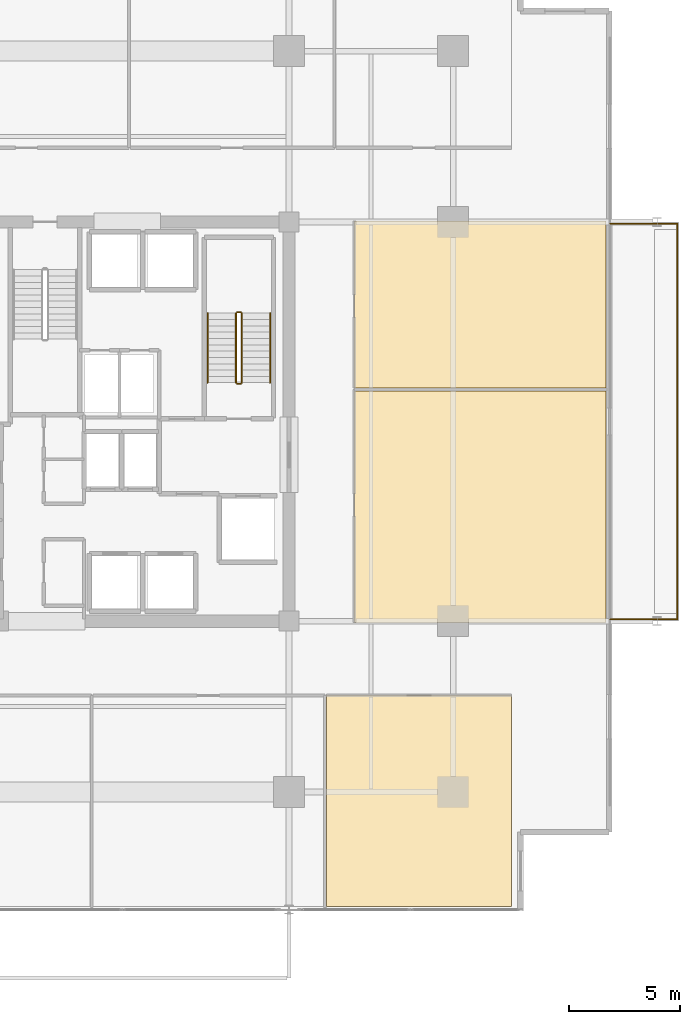
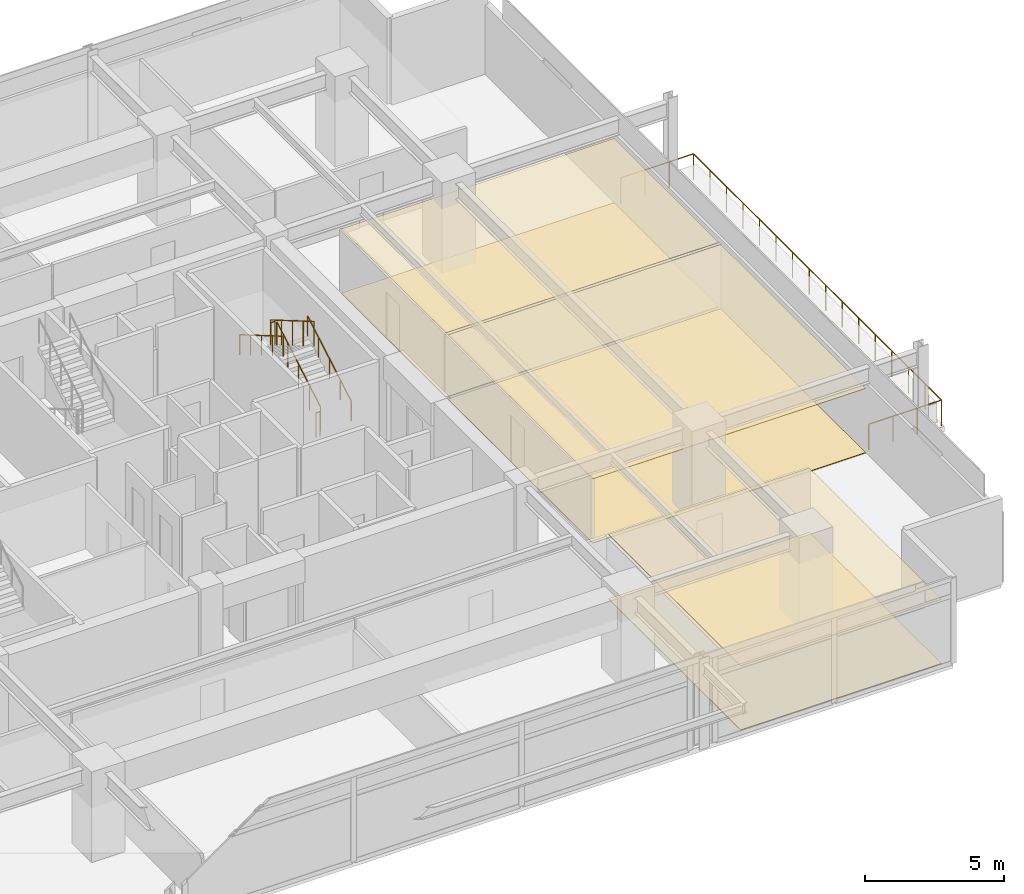
# One storey, part 20 of 21: 7 railings, 6 coverings.
"""IFC4 building model written with IfcOpenShell, lengths in metres."""

from ifc_helpers import new_model, si_unit, direction, frame, origin, origin_2d, place, context, subcontext, project, spatial, polyline, circle, outline, extrude, material, layer, layer_set, type_object, element, save


model = new_model("IFC4")

# Units and contexts
model_context = context("Model", 3, precision=1e-05, world=origin(), true_north=direction((0.0, 1.0)))
body_context = subcontext(model_context, "Body", "Model", "MODEL_VIEW")
ifc_project = project(units=[si_unit("LENGTHUNIT", "METRE"), si_unit("AREAUNIT", "SQUARE_METRE"), si_unit("VOLUMEUNIT", "CUBIC_METRE"), si_unit("PLANEANGLEUNIT", "RADIAN"), si_unit("MASSUNIT", "GRAM", prefix="KILO")], contexts=[model_context])

# Site, building, storey
site_placement = place(None, origin())
site = spatial("IfcSite", under=ifc_project, at=site_placement, CompositionType="ELEMENT")
building_placement = place(site_placement, origin())
building = spatial("IfcBuilding", under=site, at=building_placement, Name="Kovane Verandah Tower", CompositionType="ELEMENT")
storey_placement = place(building_placement, frame((0.0, 0.0, 217.199951171875)))
storey = spatial("IfcBuildingStorey", under=building, at=storey_placement, Name="L50", CompositionType="ELEMENT", Elevation=217.199951171875)

# Coverings
ifc_material_1 = material(Name="Perforated Acoustic Mineral-Fibre Ceiling Tile", Category="gypsum")
ifc_layer_1 = layer(ifc_material_1, 0.02490234375)
ifc_layer_set_1 = layer_set([ifc_layer_1], Name="Perforated Acoustic Mineral-Fibre Ceiling Tile")
covering_type_1 = type_object("IfcCoveringType", Name="CV-CEIL-25", PredefinedType="CEILING", material=ifc_layer_set_1)
covering_1_placement = place(storey_placement, frame((0.0, 0.0, 2.824951171875)))
element("IfcCovering", 1, at=covering_1_placement, inside=storey, type_object=covering_type_1, Name="L50 Executive Office S4 Acoustic Ceiling", PredefinedType="CEILING", context=body_context, shape_type="SweptSolid", body=[
    extrude(outline(polyline([(52.6923828125, 5.6357421875), (61.037353515625, 5.6357421875), (61.037353515625, 15.14990234375), (52.6923828125, 15.14990234375), (52.6923828125, 5.6357421875)])), origin(), (0.0, 0.0, 1.0), 0.025146484375),
])
covering_2_placement = place(storey_placement, frame((0.0, 0.0, 2.824951171875)))
element("IfcCovering", 2, at=covering_2_placement, inside=storey, type_object=covering_type_1, Name="L50 Focus Studio E1 Acoustic Ceiling", PredefinedType="CEILING", context=body_context, shape_type="SweptSolid", body=[
    extrude(outline(polyline([(53.949951171875, 18.449951171875), (65.287353515625, 18.449951171875), (65.287353515625, 28.8779296875), (53.949951171875, 28.8779296875), (53.949951171875, 18.449951171875)])), origin(), (0.0, 0.0, 1.0), 0.025146484375),
])
covering_3_placement = place(storey_placement, frame((0.0, 0.0, 2.824951171875)))
element("IfcCovering", 3, at=covering_3_placement, inside=storey, type_object=covering_type_1, Name="L50 Breakout Pantry E2 Acoustic Ceiling", PredefinedType="CEILING", context=body_context, shape_type="SweptSolid", body=[
    extrude(outline(polyline([(53.949951171875, 29.01806640625), (65.287353515625, 29.01806640625), (65.287353515625, 36.550048828125), (53.949951171875, 36.550048828125), (53.949951171875, 29.01806640625)])), origin(), (0.0, 0.0, 1.0), 0.025146484375),
])
ifc_material_2 = material(Name="Polished Terrazzo and Raised-Access Carpet Tile Finish", Category="concrete")
ifc_layer_2 = layer(ifc_material_2, 0.030029296875)
ifc_layer_set_2 = layer_set([ifc_layer_2], Name="Polished Terrazzo and Raised-Access Carpet Tile Finish")
covering_type_2 = type_object("IfcCoveringType", Name="CV-FLOR-30", PredefinedType="FLOORING", material=ifc_layer_set_2)
covering_4_placement = place(storey_placement, origin())
element("IfcCovering", 4, at=covering_4_placement, inside=storey, type_object=covering_type_2, Name="L50 Executive Office S4 Floor Finish", PredefinedType="FLOORING", context=body_context, shape_type="SweptSolid", body=[
    extrude(outline(polyline([(52.6923828125, 5.6357421875), (61.037353515625, 5.6357421875), (61.037353515625, 15.14990234375), (52.6923828125, 15.14990234375), (52.6923828125, 5.6357421875)])), origin(), (0.0, 0.0, 1.0), 0.030029296875),
])
covering_5_placement = place(storey_placement, origin())
element("IfcCovering", 5, at=covering_5_placement, inside=storey, type_object=covering_type_2, Name="L50 Focus Studio E1 Floor Finish", PredefinedType="FLOORING", context=body_context, shape_type="SweptSolid", body=[
    extrude(outline(polyline([(53.949951171875, 18.449951171875), (65.287353515625, 18.449951171875), (65.287353515625, 28.8779296875), (53.949951171875, 28.8779296875), (53.949951171875, 18.449951171875)])), origin(), (0.0, 0.0, 1.0), 0.030029296875),
])
covering_6_placement = place(storey_placement, origin())
element("IfcCovering", 6, at=covering_6_placement, inside=storey, type_object=covering_type_2, Name="L50 Breakout Pantry E2 Floor Finish", PredefinedType="FLOORING", context=body_context, shape_type="SweptSolid", body=[
    extrude(outline(polyline([(53.949951171875, 29.01806640625), (65.287353515625, 29.01806640625), (65.287353515625, 36.550048828125), (53.949951171875, 36.550048828125), (53.949951171875, 29.01806640625)])), origin(), (0.0, 0.0, 1.0), 0.030029296875),
])

# Railings
ifc_material_3 = material(Name="Laminated Glass and Pale-Champagne Stainless Balustrade", Category="glass")
railing_type_1 = type_object("IfcRailingType", Name="RL-BAL-1150", PredefinedType="BALUSTRADE", material=ifc_material_3)
railing_1_placement = place(storey_placement, frame((65.4873046875, 18.580078125, 0.0)))
element("IfcRailing", 7, at=railing_1_placement, inside=storey, type_object=railing_type_1, Name="L50 E Verandah Glass Balustrade", PredefinedType="BALUSTRADE", context=body_context, shape_type="SweptSolid", body=[
    extrude(circle(Radius=0.02392578125, at=origin_2d()), frame((0.0, 0.0, 1.1259765625), z_axis=(1.0, 0.0, 0.0), x_axis=(0.0, 1.0, 0.0)), (0.0, 0.0, 1.0), 3.02001953125),
    extrude(circle(Radius=0.02392578125, at=origin_2d()), frame((3.02001953125, 0.0, 1.1259765625), z_axis=(0.0, 1.0, 0.0), x_axis=(-1.0, 0.0, 0.0)), (0.0, 0.0, 1.0), 17.83984375),
    extrude(circle(Radius=0.02392578125, at=origin_2d()), frame((3.02001953125, 17.83984375, 1.1259765625), z_axis=(-1.0, 0.0, 0.0), x_axis=(0.0, -1.0, 0.0)), (0.0, 0.0, 1.0), 3.02001953125),
    extrude(circle(Radius=0.02099609375, at=origin_2d()), origin(), (0.0, 0.0, 1.0), 1.101806640625),
    extrude(circle(Radius=0.02099609375, at=origin_2d()), frame((1.006591796875, 0.0, 0.0)), (0.0, 0.0, 1.0), 1.101806640625),
    extrude(circle(Radius=0.02099609375, at=origin_2d()), frame((2.013427734375, 0.0, 0.0)), (0.0, 0.0, 1.0), 1.101806640625),
    extrude(circle(Radius=0.02099609375, at=origin_2d()), frame((3.02001953125, 0.0, 0.0)), (0.0, 0.0, 1.0), 1.101806640625),
    extrude(circle(Radius=0.02099609375, at=origin_2d()), frame((3.02001953125, 1.189208984375, 0.0)), (0.0, 0.0, 1.0), 1.101806640625),
    extrude(circle(Radius=0.02099609375, at=origin_2d()), frame((3.02001953125, 2.378662109375, 0.0)), (0.0, 0.0, 1.0), 1.101806640625),
    extrude(circle(Radius=0.02099609375, at=origin_2d()), frame((3.02001953125, 3.56787109375, 0.0)), (0.0, 0.0, 1.0), 1.101806640625),
    extrude(circle(Radius=0.02099609375, at=origin_2d()), frame((3.02001953125, 4.75732421875, 0.0)), (0.0, 0.0, 1.0), 1.101806640625),
    extrude(circle(Radius=0.02099609375, at=origin_2d()), frame((3.02001953125, 5.946533203125, 0.0)), (0.0, 0.0, 1.0), 1.101806640625),
    extrude(circle(Radius=0.02099609375, at=origin_2d()), frame((3.02001953125, 7.135986328125, 0.0)), (0.0, 0.0, 1.0), 1.101806640625),
    extrude(circle(Radius=0.02099609375, at=origin_2d()), frame((3.02001953125, 8.3251953125, 0.0)), (0.0, 0.0, 1.0), 1.101806640625),
    extrude(circle(Radius=0.02099609375, at=origin_2d()), frame((3.02001953125, 9.5146484375, 0.0)), (0.0, 0.0, 1.0), 1.101806640625),
    extrude(circle(Radius=0.02099609375, at=origin_2d()), frame((3.02001953125, 10.703857421875, 0.0)), (0.0, 0.0, 1.0), 1.101806640625),
    extrude(circle(Radius=0.02099609375, at=origin_2d()), frame((3.02001953125, 11.893310546875, 0.0)), (0.0, 0.0, 1.0), 1.101806640625),
    extrude(circle(Radius=0.02099609375, at=origin_2d()), frame((3.02001953125, 13.08251953125, 0.0)), (0.0, 0.0, 1.0), 1.101806640625),
    extrude(circle(Radius=0.02099609375, at=origin_2d()), frame((3.02001953125, 14.27197265625, 0.0)), (0.0, 0.0, 1.0), 1.101806640625),
    extrude(circle(Radius=0.02099609375, at=origin_2d()), frame((3.02001953125, 15.461181640625, 0.0)), (0.0, 0.0, 1.0), 1.101806640625),
    extrude(circle(Radius=0.02099609375, at=origin_2d()), frame((3.02001953125, 16.650634765625, 0.0)), (0.0, 0.0, 1.0), 1.101806640625),
    extrude(circle(Radius=0.02099609375, at=origin_2d()), frame((3.02001953125, 17.83984375, 0.0)), (0.0, 0.0, 1.0), 1.101806640625),
    extrude(circle(Radius=0.02099609375, at=origin_2d()), frame((2.013427734375, 17.83984375, 0.0)), (0.0, 0.0, 1.0), 1.101806640625),
    extrude(circle(Radius=0.02099609375, at=origin_2d()), frame((1.006591796875, 17.83984375, 0.0)), (0.0, 0.0, 1.0), 1.101806640625),
    extrude(circle(Radius=0.02099609375, at=origin_2d()), frame((0.0, 17.83984375, 0.0)), (0.0, 0.0, 1.0), 1.101806640625),
])
ifc_material_4 = material(Name="Brushed Stainless Steel Handrail", Category="steel")
railing_type_2 = type_object("IfcRailingType", Name="RL-HAND-920", PredefinedType="HANDRAIL", material=ifc_material_4)
railing_2_placement = place(storey_placement, frame((50.14990234375, 29.25, 0.166748046875)))
element("IfcRailing", 8, at=railing_2_placement, inside=storey, type_object=railing_type_2, Name="L50 ST-02 stair handrail 1", PredefinedType="HANDRAIL", context=body_context, shape_type="SweptSolid", body=[
    extrude(circle(Radius=0.02392578125, at=origin_2d()), frame((0.0, 0.0, 0.8759765625), z_axis=(0.0, 0.863239559939, 0.504794475164), x_axis=(-1.0, 0.0, 0.0)), (0.0, 0.0, 1.0), 3.631591796875),
    extrude(circle(Radius=0.02099609375, at=origin_2d()), origin(), (0.0, 0.0, 1.0), 0.851806640625),
    extrude(circle(Radius=0.02099609375, at=origin_2d()), frame((0.0, 0.78369140625, 0.458251953125)), (0.0, 0.0, 1.0), 0.851806640625),
    extrude(circle(Radius=0.02099609375, at=origin_2d()), frame((0.0, 1.5673828125, 0.91650390625)), (0.0, 0.0, 1.0), 0.851806640625),
    extrude(circle(Radius=0.02099609375, at=origin_2d()), frame((0.0, 2.351318359375, 1.375)), (0.0, 0.0, 1.0), 0.851806640625),
    extrude(circle(Radius=0.02099609375, at=origin_2d()), frame((0.0, 3.135009765625, 1.833251953125)), (0.0, 0.0, 1.0), 0.851806640625),
])
railing_3_placement = place(storey_placement, frame((47.330078125, 32.385009765625, 2.166748046875)))
element("IfcRailing", 9, at=railing_3_placement, inside=storey, type_object=railing_type_2, Name="L50 ST-02 stair handrail 2", PredefinedType="HANDRAIL", context=body_context, shape_type="SweptSolid", body=[
    extrude(circle(Radius=0.02392578125, at=origin_2d()), frame((0.0, 0.0, 0.8759765625), z_axis=(0.0, -0.863239559939, 0.504794475164), x_axis=(1.0, 0.0, 0.0)), (0.0, 0.0, 1.0), 3.631591796875),
    extrude(circle(Radius=0.02099609375, at=origin_2d()), origin(), (0.0, 0.0, 1.0), 0.851806640625),
    extrude(circle(Radius=0.02099609375, at=origin_2d()), frame((0.0, -0.78369140625, 0.458251953125)), (0.0, 0.0, 1.0), 0.851806640625),
    extrude(circle(Radius=0.02099609375, at=origin_2d()), frame((0.0, -1.5673828125, 0.91650390625)), (0.0, 0.0, 1.0), 0.851806640625),
    extrude(circle(Radius=0.02099609375, at=origin_2d()), frame((0.0, -2.351318359375, 1.375)), (0.0, 0.0, 1.0), 0.851806640625),
    extrude(circle(Radius=0.02099609375, at=origin_2d()), frame((0.0, -3.135009765625, 1.833251953125)), (0.0, 0.0, 1.0), 0.851806640625),
])
ifc_material_5 = material(Name="Painted Steel Stairwell Guardrail", Category="steel")
railing_type_3 = type_object("IfcRailingType", Name="RL-STGUARD-1120", PredefinedType="GUARDRAIL", material=ifc_material_5)
railing_4_placement = place(storey_placement, frame((48.8701171875, 29.25, 0.166748046875)))
element("IfcRailing", 10, at=railing_4_placement, inside=storey, type_object=railing_type_3, Name="L50 ST-02 stair guard 1", PredefinedType="GUARDRAIL", context=body_context, shape_type="SweptSolid", body=[
    extrude(circle(Radius=0.02392578125, at=origin_2d()), frame((0.0, 0.0, 1.076171875), z_axis=(0.0, 0.863239559939, 0.504794475164), x_axis=(-1.0, 0.0, 0.0)), (0.0, 0.0, 1.0), 3.631591796875),
    extrude(circle(Radius=0.02099609375, at=origin_2d()), origin(), (0.0, 0.0, 1.0), 1.052001953125),
    extrude(circle(Radius=0.02099609375, at=origin_2d()), frame((0.0, 0.78369140625, 0.458251953125)), (0.0, 0.0, 1.0), 1.052001953125),
    extrude(circle(Radius=0.02099609375, at=origin_2d()), frame((0.0, 1.5673828125, 0.91650390625)), (0.0, 0.0, 1.0), 1.052001953125),
    extrude(circle(Radius=0.02099609375, at=origin_2d()), frame((0.0, 2.351318359375, 1.375)), (0.0, 0.0, 1.0), 1.052001953125),
    extrude(circle(Radius=0.02099609375, at=origin_2d()), frame((0.0, 3.135009765625, 1.833251953125)), (0.0, 0.0, 1.0), 1.052001953125),
])
railing_5_placement = place(storey_placement, frame((48.820068359375, 32.43505859375, 2.0)))
element("IfcRailing", 11, at=railing_5_placement, inside=storey, type_object=railing_type_3, Name="L50 ST-02 stair guard 2", PredefinedType="GUARDRAIL", context=body_context, shape_type="SweptSolid", body=[
    extrude(circle(Radius=0.02392578125, at=origin_2d()), frame((0.0, 0.0, 1.076171875), z_axis=(-1.0, 0.0, 0.0), x_axis=(0.0, -1.0, 0.0)), (0.0, 0.0, 1.0), 0.16015625),
    extrude(circle(Radius=0.02099609375, at=origin_2d()), origin(), (0.0, 0.0, 1.0), 1.052001953125),
    extrude(circle(Radius=0.02099609375, at=origin_2d()), frame((-0.16015625, 0.0, 0.0)), (0.0, 0.0, 1.0), 1.052001953125),
])
railing_6_placement = place(storey_placement, frame((48.610107421875, 32.385009765625, 2.166748046875)))
element("IfcRailing", 12, at=railing_6_placement, inside=storey, type_object=railing_type_3, Name="L50 ST-02 stair guard 3", PredefinedType="GUARDRAIL", context=body_context, shape_type="SweptSolid", body=[
    extrude(circle(Radius=0.02392578125, at=origin_2d()), frame((0.0, 0.0, 1.076171875), z_axis=(0.0, -0.863239559939, 0.504794475164), x_axis=(1.0, 0.0, 0.0)), (0.0, 0.0, 1.0), 3.631591796875),
    extrude(circle(Radius=0.02099609375, at=origin_2d()), origin(), (0.0, 0.0, 1.0), 1.052001953125),
    extrude(circle(Radius=0.02099609375, at=origin_2d()), frame((0.0, -0.78369140625, 0.458251953125)), (0.0, 0.0, 1.0), 1.052001953125),
    extrude(circle(Radius=0.02099609375, at=origin_2d()), frame((0.0, -1.5673828125, 0.91650390625)), (0.0, 0.0, 1.0), 1.052001953125),
    extrude(circle(Radius=0.02099609375, at=origin_2d()), frame((0.0, -2.351318359375, 1.375)), (0.0, 0.0, 1.0), 1.052001953125),
    extrude(circle(Radius=0.02099609375, at=origin_2d()), frame((0.0, -3.135009765625, 1.833251953125)), (0.0, 0.0, 1.0), 1.052001953125),
])
railing_7_placement = place(storey_placement, frame((48.820068359375, 29.199951171875, 0.0)))
element("IfcRailing", 13, at=railing_7_placement, inside=storey, type_object=railing_type_3, Name="L50 ST-02 stair guard 4", PredefinedType="GUARDRAIL", context=body_context, shape_type="SweptSolid", body=[
    extrude(circle(Radius=0.02392578125, at=origin_2d()), frame((0.0, 0.0, 1.076171875), z_axis=(-1.0, 0.0, 0.0), x_axis=(0.0, -1.0, 0.0)), (0.0, 0.0, 1.0), 0.16015625),
    extrude(circle(Radius=0.02099609375, at=origin_2d()), origin(), (0.0, 0.0, 1.0), 1.052001953125),
    extrude(circle(Radius=0.02099609375, at=origin_2d()), frame((-0.16015625, 0.0, 0.0)), (0.0, 0.0, 1.0), 1.052001953125),
])

save(model, "model.ifc")
